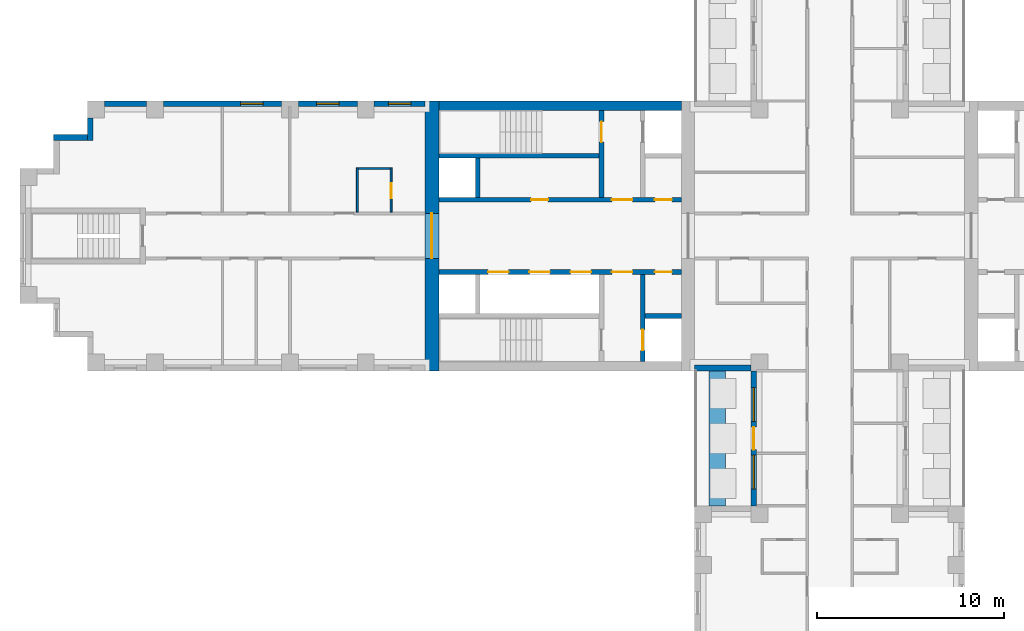
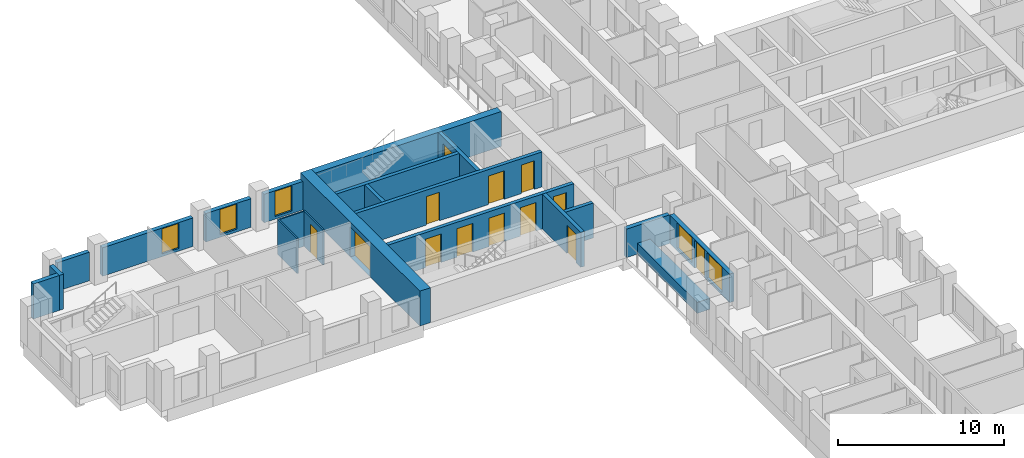
# One storey, part 6 of 15: 21 walls, 13 doors, 5 windows, 18 openings.
"""IFC4 building model written with IfcOpenShell, lengths in metres."""

from ifc_helpers import new_model, si_unit, direction, frame, frame_2d, origin, place, context, subcontext, project, spatial, rectangle, extrude, material, layer, layer_set, type_object, element, fill, save


model = new_model("IFC4")

# Units and contexts
model_context = context("Model", 3, precision=1e-05, world=origin(), true_north=direction((0.0, 1.0)))
body_context = subcontext(model_context, "Body", "Model", "MODEL_VIEW")
ifc_project = project(units=[si_unit("LENGTHUNIT", "METRE"), si_unit("AREAUNIT", "SQUARE_METRE"), si_unit("VOLUMEUNIT", "CUBIC_METRE"), si_unit("PLANEANGLEUNIT", "RADIAN"), si_unit("MASSUNIT", "GRAM", prefix="KILO")], contexts=[model_context])

# Site, building, storey
site_placement = place(None, origin())
site = spatial("IfcSite", under=ifc_project, at=site_placement, CompositionType="ELEMENT")
building_placement = place(site_placement, origin())
building = spatial("IfcBuilding", under=site, at=building_placement, Name="Fustian Cross Tower", CompositionType="ELEMENT")
storey_placement = place(building_placement, frame((0.0, 0.0, 41.699951171875)))
storey = spatial("IfcBuildingStorey", under=building, at=storey_placement, Name="L12", CompositionType="ELEMENT", Elevation=41.699951171875)

# Wall, opening, door
ifc_material_1 = material(Name="Concrete C80/95", Category="concrete")
ifc_layer_1 = layer(ifc_material_1, 0.75)
ifc_layer_set_1 = layer_set([ifc_layer_1], Name="Concrete C80/95")
wall_type_1 = type_object("IfcWallType", Name="CORE END WALL 750 C80/95", PredefinedType="SHEAR", material=ifc_layer_set_1)
wall_1_placement = place(storey_placement, frame((-21.22509765625, -7.199951171875, 0.0), z_axis=(0.0, 0.0, 1.0), x_axis=(0.0, 1.0, 0.0)))
wall_1 = element("IfcWall", 1, at=wall_1_placement, inside=storey, type_object=wall_type_1, Name="Core end wall", PredefinedType="SHEAR", context=body_context, shape_type="SweptSolid", body=[
    extrude(rectangle(XDim=14.39990234375, YDim=0.75, at=frame_2d((7.199951171875, 0.0))), origin(), (0.0, 0.0, 1.0), 2.574951171875),
])
opening_1_placement = place(wall_1_placement, frame((6.0, 0.0, 0.0)))
opening_1 = element("IfcOpeningElement", 2, at=opening_1_placement, cuts=wall_1, Name="Opening CD-04-27", PredefinedType="OPENING", context=body_context, shape_type="SweptSolid", body=[
    extrude(rectangle(XDim=2.39990234375, YDim=2.199951171875, at=frame_2d((1.199951171875, 1.10009765625))), frame((0.0, 0.385009765625, 0.0), z_axis=(0.0, -1.0, 0.0), x_axis=(1.0, 0.0, 0.0)), (0.0, 0.0, 1.0), 0.77001953125),
])
ifc_material_2 = material(Name="Steel", Category="steel")
door_type_1 = type_object("IfcDoorType", Name="FIRE DOOR FD30S DOUBLE 2400X2200", OperationType="DOUBLE_DOOR_DOUBLE_SWING", PredefinedType="DOOR", material=ifc_material_2)
door_1_placement = place(opening_1_placement, frame((2.39990234375, 0.0, 0.0), z_axis=(0.0, 0.0, 1.0), x_axis=(-1.0, 0.0, 0.0)))
door_1 = element("IfcDoor", 3, at=door_1_placement, inside=storey, type_object=door_type_1, Name="Core door CD-04-27", OperationType="DOUBLE_DOOR_DOUBLE_SWING", OverallHeight=2.199951171875, OverallWidth=2.39990234375, PredefinedType="DOOR", context=body_context, shape_type="SweptSolid", body=[
    extrude(rectangle(XDim=2.39990234375, YDim=2.199951171875, at=frame_2d((1.199951171875, 1.10009765625))), frame((0.0, 0.02490234375, 0.0), z_axis=(0.0, -1.0, 0.0), x_axis=(1.0, 0.0, 0.0)), (0.0, 0.0, 1.0), 0.050048828125),
])
fill(opening_1, door_1)

# Wall
ifc_material_3 = material(Name="Concrete C80/95", Category="concrete")
ifc_layer_2 = layer(ifc_material_3, 0.5)
ifc_layer_set_2 = layer_set([ifc_layer_2], Name="Concrete C80/95")
wall_type_2 = type_object("IfcWallType", Name="CORE FACADE WALL 500 C80/95", PredefinedType="SHEAR", material=ifc_layer_set_2)
wall_2_placement = place(storey_placement, frame((-7.89990234375, 6.949951171875, 0.0), z_axis=(0.0, 0.0, 1.0), x_axis=(-1.0, 0.0, 0.0)))
element("IfcWall", 4, at=wall_2_placement, inside=storey, type_object=wall_type_2, Name="Core facade wall", PredefinedType="SHEAR", context=body_context, shape_type="SweptSolid", body=[
    extrude(rectangle(XDim=12.9501953125, YDim=0.5, at=frame_2d((6.47509765625, 0.0))), origin(), (0.0, 0.0, 1.0), 2.574951171875),
])

# Wall, openings, doors
ifc_material_4 = material(Name="Concrete C50/60", Category="concrete")
ifc_layer_3 = layer(ifc_material_4, 0.25)
ifc_layer_set_3 = layer_set([ifc_layer_3], Name="Concrete C50/60")
wall_type_3 = type_object("IfcWallType", Name="CORE LOBBY WALL 250 C50/60", PredefinedType="SHEAR", material=ifc_layer_set_3)
wall_3_placement = place(storey_placement, frame((-7.89990234375, 1.925048828125, 0.0), z_axis=(0.0, 0.0, 1.0), x_axis=(-1.0, 0.0, 0.0)))
wall_3 = element("IfcWall", 5, at=wall_3_placement, inside=storey, type_object=wall_type_3, Name="Core lobby wall", PredefinedType="SHEAR", context=body_context, shape_type="SweptSolid", body=[
    extrude(rectangle(XDim=12.9501953125, YDim=0.25, at=frame_2d((6.47509765625, 0.0))), origin(), (0.0, 0.0, 1.0), 2.574951171875),
])
opening_2_placement = place(wall_3_placement, frame((0.52490234375, 0.0, 0.0)))
opening_2 = element("IfcOpeningElement", 6, at=opening_2_placement, cuts=wall_3, Name="Opening CD-04-22", PredefinedType="OPENING", context=body_context, shape_type="SweptSolid", body=[
    extrude(rectangle(XDim=0.89990234375, YDim=2.10009765625, at=frame_2d((0.449951171875, 1.050048828125))), frame((0.0, 0.135009765625, 0.0), z_axis=(0.0, -1.0, 0.0), x_axis=(1.0, 0.0, 0.0)), (0.0, 0.0, 1.0), 0.27001953125),
])
opening_3_placement = place(wall_3_placement, frame((2.625, 0.0, 0.0)))
opening_3 = element("IfcOpeningElement", 7, at=opening_3_placement, cuts=wall_3, Name="Opening CD-04-24", PredefinedType="OPENING", context=body_context, shape_type="SweptSolid", body=[
    extrude(rectangle(XDim=1.10009765625, YDim=2.10009765625, at=frame_2d((0.550048828125, 1.050048828125))), frame((0.0, 0.135009765625, 0.0), z_axis=(0.0, -1.0, 0.0), x_axis=(1.0, 0.0, 0.0)), (0.0, 0.0, 1.0), 0.27001953125),
])
opening_4_placement = place(wall_3_placement, frame((7.125, 0.0, 0.0)))
opening_4 = element("IfcOpeningElement", 8, at=opening_4_placement, cuts=wall_3, Name="Opening CD-04-28", PredefinedType="OPENING", context=body_context, shape_type="SweptSolid", body=[
    extrude(rectangle(XDim=0.89990234375, YDim=2.10009765625, at=frame_2d((0.449951171875, 1.050048828125))), frame((0.0, 0.135009765625, 0.0), z_axis=(0.0, -1.0, 0.0), x_axis=(1.0, 0.0, 0.0)), (0.0, 0.0, 1.0), 0.27001953125),
])
ifc_material_5 = material(Name="Steel", Category="steel")
door_type_2 = type_object("IfcDoorType", Name="FIRE DOOR FD30S 900X2100", OperationType="SINGLE_SWING_LEFT", PredefinedType="DOOR", material=ifc_material_5)
door_2_placement = place(opening_4_placement, frame((0.89990234375, 0.0, 0.0), z_axis=(0.0, 0.0, 1.0), x_axis=(-1.0, 0.0, 0.0)))
door_2 = element("IfcDoor", 9, at=door_2_placement, inside=storey, type_object=door_type_2, Name="Core door CD-04-28", OperationType="SINGLE_SWING_RIGHT", OverallHeight=2.10009765625, OverallWidth=0.89990234375, PredefinedType="DOOR", context=body_context, shape_type="SweptSolid", body=[
    extrude(rectangle(XDim=0.89990234375, YDim=2.10009765625, at=frame_2d((0.449951171875, 1.050048828125))), frame((0.0, 0.02490234375, 0.0), z_axis=(0.0, -1.0, 0.0), x_axis=(1.0, 0.0, 0.0)), (0.0, 0.0, 1.0), 0.050048828125),
])
fill(opening_4, door_2)
ifc_material_6 = material(Name="Steel", Category="steel")
door_type_3 = type_object("IfcDoorType", Name="FIRE DOOR FD60S 1100X2100", OperationType="SINGLE_SWING_LEFT", PredefinedType="DOOR", material=ifc_material_6)
door_3_placement = place(opening_3_placement, frame((1.10009765625, 0.0, 0.0), z_axis=(0.0, 0.0, 1.0), x_axis=(-1.0, 0.0, 0.0)))
door_3 = element("IfcDoor", 10, at=door_3_placement, inside=storey, type_object=door_type_3, Name="Core door CD-04-24", OperationType="SINGLE_SWING_RIGHT", OverallHeight=2.10009765625, OverallWidth=1.10009765625, PredefinedType="DOOR", context=body_context, shape_type="SweptSolid", body=[
    extrude(rectangle(XDim=1.10009765625, YDim=2.10009765625, at=frame_2d((0.550048828125, 1.050048828125))), frame((0.0, 0.02490234375, 0.0), z_axis=(0.0, -1.0, 0.0), x_axis=(1.0, 0.0, 0.0)), (0.0, 0.0, 1.0), 0.050048828125),
])
fill(opening_3, door_3)
ifc_material_7 = material(Name="Steel", Category="steel")
door_type_4 = type_object("IfcDoorType", Name="FIRE DOOR FD60S 900X2100", OperationType="SINGLE_SWING_LEFT", PredefinedType="DOOR", material=ifc_material_7)
door_4_placement = place(opening_2_placement, frame((0.89990234375, 0.0, 0.0), z_axis=(0.0, 0.0, 1.0), x_axis=(-1.0, 0.0, 0.0)))
door_4 = element("IfcDoor", 11, at=door_4_placement, inside=storey, type_object=door_type_4, Name="Core door CD-04-22", OperationType="SINGLE_SWING_RIGHT", OverallHeight=2.10009765625, OverallWidth=0.89990234375, PredefinedType="DOOR", context=body_context, shape_type="SweptSolid", body=[
    extrude(rectangle(XDim=0.89990234375, YDim=2.10009765625, at=frame_2d((0.449951171875, 1.050048828125))), frame((0.0, 0.02490234375, 0.0), z_axis=(0.0, -1.0, 0.0), x_axis=(1.0, 0.0, 0.0)), (0.0, 0.0, 1.0), 0.050048828125),
])
fill(opening_2, door_4)

wall_4_placement = place(storey_placement, frame((-7.89990234375, -1.925048828125, 0.0), z_axis=(0.0, 0.0, 1.0), x_axis=(-1.0, 0.0, 0.0)))
wall_4 = element("IfcWall", 12, at=wall_4_placement, inside=storey, type_object=wall_type_3, Name="Core lobby wall", PredefinedType="SHEAR", context=body_context, shape_type="SweptSolid", body=[
    extrude(rectangle(XDim=12.9501953125, YDim=0.25, at=frame_2d((6.47509765625, 0.0))), origin(), (0.0, 0.0, 1.0), 2.574951171875),
])
opening_5_placement = place(wall_4_placement, frame((4.824951171875, 0.0, 0.0)))
opening_5 = element("IfcOpeningElement", 13, at=opening_5_placement, cuts=wall_4, Name="Opening LD", PredefinedType="OPENING", context=body_context, shape_type="SweptSolid", body=[
    extrude(rectangle(XDim=1.10009765625, YDim=2.10009765625, at=frame_2d((0.550048828125, 1.050048828125))), frame((0.0, 0.135009765625, 0.0), z_axis=(0.0, -1.0, 0.0), x_axis=(1.0, 0.0, 0.0)), (0.0, 0.0, 1.0), 0.27001953125),
])
opening_6_placement = place(wall_4_placement, frame((7.02490234375, 0.0, 0.0)))
opening_6 = element("IfcOpeningElement", 14, at=opening_6_placement, cuts=wall_4, Name="Opening LD", PredefinedType="OPENING", context=body_context, shape_type="SweptSolid", body=[
    extrude(rectangle(XDim=1.10009765625, YDim=2.10009765625, at=frame_2d((0.550048828125, 1.050048828125))), frame((0.0, 0.135009765625, 0.0), z_axis=(0.0, -1.0, 0.0), x_axis=(1.0, 0.0, 0.0)), (0.0, 0.0, 1.0), 0.27001953125),
])
opening_7_placement = place(wall_4_placement, frame((9.22509765625, 0.0, 0.0)))
opening_7 = element("IfcOpeningElement", 15, at=opening_7_placement, cuts=wall_4, Name="Opening LD", PredefinedType="OPENING", context=body_context, shape_type="SweptSolid", body=[
    extrude(rectangle(XDim=1.10009765625, YDim=2.10009765625, at=frame_2d((0.550048828125, 1.050048828125))), frame((0.0, 0.135009765625, 0.0), z_axis=(0.0, -1.0, 0.0), x_axis=(1.0, 0.0, 0.0)), (0.0, 0.0, 1.0), 0.27001953125),
])
opening_8_placement = place(wall_4_placement, frame((0.52490234375, 0.0, 0.0)))
opening_8 = element("IfcOpeningElement", 16, at=opening_8_placement, cuts=wall_4, Name="Opening CD-04-23", PredefinedType="OPENING", context=body_context, shape_type="SweptSolid", body=[
    extrude(rectangle(XDim=0.89990234375, YDim=2.10009765625, at=frame_2d((0.449951171875, 1.050048828125))), frame((0.0, 0.135009765625, 0.0), z_axis=(0.0, -1.0, 0.0), x_axis=(1.0, 0.0, 0.0)), (0.0, 0.0, 1.0), 0.27001953125),
])
opening_9_placement = place(wall_4_placement, frame((2.625, 0.0, 0.0)))
opening_9 = element("IfcOpeningElement", 17, at=opening_9_placement, cuts=wall_4, Name="Opening CD-04-25", PredefinedType="OPENING", context=body_context, shape_type="SweptSolid", body=[
    extrude(rectangle(XDim=1.10009765625, YDim=2.10009765625, at=frame_2d((0.550048828125, 1.050048828125))), frame((0.0, 0.135009765625, 0.0), z_axis=(0.0, -1.0, 0.0), x_axis=(1.0, 0.0, 0.0)), (0.0, 0.0, 1.0), 0.27001953125),
])
ifc_material_8 = material(Name="Steel", Category="steel")
door_type_5 = type_object("IfcDoorType", Name="FIRE DOOR FD30S 1100X2100", OperationType="SINGLE_SWING_LEFT", PredefinedType="DOOR", material=ifc_material_8)
door_5_placement = place(opening_9_placement, frame((1.10009765625, 0.0, 0.0), z_axis=(0.0, 0.0, 1.0), x_axis=(-1.0, 0.0, 0.0)))
door_5 = element("IfcDoor", 18, at=door_5_placement, inside=storey, type_object=door_type_5, Name="Core door CD-04-25", OperationType="SINGLE_SWING_RIGHT", OverallHeight=2.10009765625, OverallWidth=1.10009765625, PredefinedType="DOOR", context=body_context, shape_type="SweptSolid", body=[
    extrude(rectangle(XDim=1.10009765625, YDim=2.10009765625, at=frame_2d((0.550048828125, 1.050048828125))), frame((0.0, 0.02490234375, 0.0), z_axis=(0.0, -1.0, 0.0), x_axis=(1.0, 0.0, 0.0)), (0.0, 0.0, 1.0), 0.050048828125),
])
fill(opening_9, door_5)
door_6_placement = place(opening_8_placement, origin())
door_6 = element("IfcDoor", 19, at=door_6_placement, inside=storey, type_object=door_type_2, Name="Core door CD-04-23", OperationType="SINGLE_SWING_LEFT", OverallHeight=2.10009765625, OverallWidth=0.89990234375, PredefinedType="DOOR", context=body_context, shape_type="SweptSolid", body=[
    extrude(rectangle(XDim=0.89990234375, YDim=2.10009765625, at=frame_2d((0.449951171875, 1.050048828125))), frame((0.0, 0.02490234375, 0.0), z_axis=(0.0, -1.0, 0.0), x_axis=(1.0, 0.0, 0.0)), (0.0, 0.0, 1.0), 0.050048828125),
])
fill(opening_8, door_6)
ifc_material_9 = material(Name="Stainless steel", Category="steel")
door_type_6 = type_object("IfcDoorType", Name="LIFT LANDING DOOR 1100X2100", OperationType="SLIDING_TO_LEFT", PredefinedType="DOOR", material=ifc_material_9)
door_7_placement = place(opening_5_placement, origin())
door_7 = element("IfcDoor", 20, at=door_7_placement, inside=storey, type_object=door_type_6, Name="Landing door LR1W", OperationType="SLIDING_TO_LEFT", OverallHeight=2.10009765625, OverallWidth=1.10009765625, PredefinedType="DOOR", context=body_context, shape_type="SweptSolid", body=[
    extrude(rectangle(XDim=1.10009765625, YDim=2.10009765625, at=frame_2d((0.550048828125, 1.050048828125))), frame((0.0, 0.02490234375, 0.0), z_axis=(0.0, -1.0, 0.0), x_axis=(1.0, 0.0, 0.0)), (0.0, 0.0, 1.0), 0.050048828125),
])
fill(opening_5, door_7)
door_8_placement = place(opening_6_placement, origin())
door_8 = element("IfcDoor", 21, at=door_8_placement, inside=storey, type_object=door_type_6, Name="Landing door LR2W", OperationType="SLIDING_TO_LEFT", OverallHeight=2.10009765625, OverallWidth=1.10009765625, PredefinedType="DOOR", context=body_context, shape_type="SweptSolid", body=[
    extrude(rectangle(XDim=1.10009765625, YDim=2.10009765625, at=frame_2d((0.550048828125, 1.050048828125))), frame((0.0, 0.02490234375, 0.0), z_axis=(0.0, -1.0, 0.0), x_axis=(1.0, 0.0, 0.0)), (0.0, 0.0, 1.0), 0.050048828125),
])
fill(opening_6, door_8)
door_9_placement = place(opening_7_placement, origin())
door_9 = element("IfcDoor", 22, at=door_9_placement, inside=storey, type_object=door_type_6, Name="Landing door LR3W", OperationType="SLIDING_TO_LEFT", OverallHeight=2.10009765625, OverallWidth=1.10009765625, PredefinedType="DOOR", context=body_context, shape_type="SweptSolid", body=[
    extrude(rectangle(XDim=1.10009765625, YDim=2.10009765625, at=frame_2d((0.550048828125, 1.050048828125))), frame((0.0, 0.02490234375, 0.0), z_axis=(0.0, -1.0, 0.0), x_axis=(1.0, 0.0, 0.0)), (0.0, 0.0, 1.0), 0.050048828125),
])
fill(opening_7, door_9)

# Wall
ifc_material_10 = material(Name="Concrete C50/60", Category="concrete")
ifc_layer_4 = layer(ifc_material_10, 0.25)
ifc_layer_set_4 = layer_set([ifc_layer_4], Name="Concrete C50/60")
wall_type_4 = type_object("IfcWallType", Name="CORE SHAFT WALL 250 C50/60", PredefinedType="SHEAR", material=ifc_layer_set_4)
wall_5_placement = place(storey_placement, frame((-12.300048828125, 4.27490234375, 0.0), z_axis=(0.0, 0.0, 1.0), x_axis=(-1.0, 0.0, 0.0)))
element("IfcWall", 23, at=wall_5_placement, inside=storey, type_object=wall_type_4, Name="Core shaft wall", PredefinedType="SHEAR", context=body_context, shape_type="SweptSolid", body=[
    extrude(rectangle(XDim=8.550048828125, YDim=0.25, at=frame_2d((4.27490234375, 0.0))), origin(), (0.0, 0.0, 1.0), 2.574951171875),
])

# Wall, opening, door
wall_6_placement = place(storey_placement, frame((-12.175048828125, 2.050048828125, 0.0), z_axis=(0.0, 0.0, 1.0), x_axis=(0.0, 1.0, 0.0)))
wall_6 = element("IfcWall", 24, at=wall_6_placement, inside=storey, type_object=wall_type_4, Name="Core shaft wall", PredefinedType="SHEAR", context=body_context, shape_type="SweptSolid", body=[
    extrude(rectangle(XDim=4.64990234375, YDim=0.25, at=frame_2d((2.324951171875, 0.0))), origin(), (0.0, 0.0, 1.0), 2.574951171875),
])
opening_10_placement = place(wall_6_placement, frame((2.949951171875, 0.0, 0.0)))
opening_10 = element("IfcOpeningElement", 25, at=opening_10_placement, cuts=wall_6, Name="Opening CD-04-20", PredefinedType="OPENING", context=body_context, shape_type="SweptSolid", body=[
    extrude(rectangle(XDim=1.10009765625, YDim=2.10009765625, at=frame_2d((0.550048828125, 1.050048828125))), frame((0.0, 0.135009765625, 0.0), z_axis=(0.0, -1.0, 0.0), x_axis=(1.0, 0.0, 0.0)), (0.0, 0.0, 1.0), 0.27001953125),
])
door_10_placement = place(opening_10_placement, origin())
door_10 = element("IfcDoor", 26, at=door_10_placement, inside=storey, type_object=door_type_3, Name="Core door CD-04-20", OperationType="SINGLE_SWING_LEFT", OverallHeight=2.10009765625, OverallWidth=1.10009765625, PredefinedType="DOOR", context=body_context, shape_type="SweptSolid", body=[
    extrude(rectangle(XDim=1.10009765625, YDim=2.10009765625, at=frame_2d((0.550048828125, 1.050048828125))), frame((0.0, 0.02490234375, 0.0), z_axis=(0.0, -1.0, 0.0), x_axis=(1.0, 0.0, 0.0)), (0.0, 0.0, 1.0), 0.050048828125),
])
fill(opening_10, door_10)

# Wall
wall_7_placement = place(storey_placement, frame((-7.89990234375, -4.27490234375, 0.0), z_axis=(0.0, 0.0, 1.0), x_axis=(-1.0, 0.0, 0.0)))
element("IfcWall", 27, at=wall_7_placement, inside=storey, type_object=wall_type_4, Name="Core shaft wall", PredefinedType="SHEAR", context=body_context, shape_type="SweptSolid", body=[
    extrude(rectangle(XDim=1.9501953125, YDim=0.25, at=frame_2d((0.97509765625, 0.0))), origin(), (0.0, 0.0, 1.0), 2.574951171875),
])

# Wall, opening, door
wall_8_placement = place(storey_placement, frame((-9.97509765625, -2.050048828125, 0.0), z_axis=(0.0, 0.0, 1.0), x_axis=(0.0, -1.0, 0.0)))
wall_8 = element("IfcWall", 28, at=wall_8_placement, inside=storey, type_object=wall_type_4, Name="Core shaft wall", PredefinedType="SHEAR", context=body_context, shape_type="SweptSolid", body=[
    extrude(rectangle(XDim=4.64990234375, YDim=0.25, at=frame_2d((2.324951171875, 0.0))), origin(), (0.0, 0.0, 1.0), 2.574951171875),
])
opening_11_placement = place(wall_8_placement, frame((2.949951171875, 0.0, 0.0)))
opening_11 = element("IfcOpeningElement", 29, at=opening_11_placement, cuts=wall_8, Name="Opening LD", PredefinedType="OPENING", context=body_context, shape_type="SweptSolid", body=[
    extrude(rectangle(XDim=1.10009765625, YDim=2.10009765625, at=frame_2d((0.550048828125, 1.050048828125))), frame((0.0, 0.135009765625, 0.0), z_axis=(0.0, -1.0, 0.0), x_axis=(1.0, 0.0, 0.0)), (0.0, 0.0, 1.0), 0.27001953125),
])
door_11_placement = place(opening_11_placement, origin())
door_11 = element("IfcDoor", 30, at=door_11_placement, inside=storey, type_object=door_type_6, Name="Landing door SV1W", OperationType="SLIDING_TO_LEFT", OverallHeight=2.10009765625, OverallWidth=1.10009765625, PredefinedType="DOOR", context=body_context, shape_type="SweptSolid", body=[
    extrude(rectangle(XDim=1.10009765625, YDim=2.10009765625, at=frame_2d((0.550048828125, 1.050048828125))), frame((0.0, 0.02490234375, 0.0), z_axis=(0.0, -1.0, 0.0), x_axis=(1.0, 0.0, 0.0)), (0.0, 0.0, 1.0), 0.050048828125),
])
fill(opening_11, door_11)

# Walls
ifc_material_11 = material(Name="Plasterboard on steel stud", Category="steel")
ifc_layer_5 = layer(ifc_material_11, 0.10009765625)
ifc_layer_set_5 = layer_set([ifc_layer_5], Name="Plasterboard on steel stud")
wall_type_5 = type_object("IfcWallType", Name="PARTITION 100 STUD", PredefinedType="PARTITIONING", material=ifc_layer_set_5)
wall_9_placement = place(storey_placement, frame((-25.199951171875, 1.27490234375, 0.0), z_axis=(0.0, 0.0, 1.0), x_axis=(0.0, 1.0, 0.0)))
element("IfcWall", 31, at=wall_9_placement, inside=storey, type_object=wall_type_5, Name="Partition 8", PredefinedType="PARTITIONING", context=body_context, shape_type="SweptSolid", body=[
    extrude(rectangle(XDim=2.375, YDim=0.10009765625, at=frame_2d((1.1875, 0.0))), origin(), (0.0, 0.0, 1.0), 2.574951171875),
])
wall_10_placement = place(storey_placement, frame((-25.14990234375, 3.60009765625, 0.0), z_axis=(0.0, 0.0, 1.0), x_axis=(1.0, 0.0, 0.0)))
element("IfcWall", 32, at=wall_10_placement, inside=storey, type_object=wall_type_5, Name="Partition 9", PredefinedType="PARTITIONING", context=body_context, shape_type="SweptSolid", body=[
    extrude(rectangle(XDim=1.699951171875, YDim=0.10009765625, at=frame_2d((0.85009765625, 0.0))), origin(), (0.0, 0.0, 1.0), 2.574951171875),
])

# Wall, opening, door
wall_11_placement = place(storey_placement, frame((-23.39990234375, 1.27490234375, 0.0), z_axis=(0.0, 0.0, 1.0), x_axis=(0.0, 1.0, 0.0)))
wall_11 = element("IfcWall", 33, at=wall_11_placement, inside=storey, type_object=wall_type_5, Name="Partition 10", PredefinedType="PARTITIONING", context=body_context, shape_type="SweptSolid", body=[
    extrude(rectangle(XDim=2.375, YDim=0.10009765625, at=frame_2d((1.1875, 0.0))), origin(), (0.0, 0.0, 1.0), 2.574951171875),
])
opening_12_placement = place(wall_11_placement, frame((0.72509765625, 0.0, 0.0)))
opening_12 = element("IfcOpeningElement", 34, at=opening_12_placement, cuts=wall_11, Name="Opening D07045", PredefinedType="OPENING", context=body_context, shape_type="SweptSolid", body=[
    extrude(rectangle(XDim=0.800048828125, YDim=2.10009765625, at=frame_2d((0.39990234375, 1.050048828125))), frame((0.0, 0.06005859375, 0.0), z_axis=(0.0, -1.0, 0.0), x_axis=(1.0, 0.0, 0.0)), (0.0, 0.0, 1.0), 0.1201171875),
])
ifc_material_12 = material(Name="Painted timber", Category="wood")
door_type_7 = type_object("IfcDoorType", Name="SWING DOOR 800", OperationType="SINGLE_SWING_LEFT", PredefinedType="DOOR", material=ifc_material_12)
door_12_placement = place(opening_12_placement, origin())
door_12 = element("IfcDoor", 35, at=door_12_placement, inside=storey, type_object=door_type_7, Name="Door D07045", OperationType="SINGLE_SWING_LEFT", OverallHeight=2.10009765625, OverallWidth=0.800048828125, PredefinedType="DOOR", context=body_context, shape_type="SweptSolid", body=[
    extrude(rectangle(XDim=0.800048828125, YDim=2.10009765625, at=frame_2d((0.39990234375, 1.050048828125))), frame((0.0, 0.02490234375, 0.0), z_axis=(0.0, -1.0, 0.0), x_axis=(1.0, 0.0, 0.0)), (0.0, 0.0, 1.0), 0.050048828125),
])
fill(opening_12, door_12)

# Walls
ifc_material_13 = material(Name="Concrete C40/50", Category="concrete")
ifc_layer_6 = layer(ifc_material_13, 0.89990234375)
ifc_layer_set_6 = layer_set([ifc_layer_6], Name="Concrete C40/50")
wall_type_6 = type_object("IfcWallType", Name="PK1 PLANTER 900", PredefinedType="PARAPET", material=ifc_layer_set_6)
wall_12_placement = place(storey_placement, frame((-6.0, -14.39990234375, 0.0), z_axis=(0.0, 0.0, 1.0), x_axis=(0.0, 1.0, 0.0)))
element("IfcWall", 36, at=wall_12_placement, inside=storey, type_object=wall_type_6, Name="PLANTER", PredefinedType="PARAPET", context=body_context, shape_type="SweptSolid", body=[
    extrude(rectangle(XDim=7.199951171875, YDim=0.89990234375, at=frame_2d((3.60009765625, 0.0))), origin(), (0.0, 0.0, 1.0), 0.800048828125),
])
ifc_material_14 = material(Name="Concrete C40/50", Category="concrete")
ifc_layer_7 = layer(ifc_material_14, 0.25)
ifc_layer_set_7 = layer_set([ifc_layer_7], Name="Concrete C40/50")
wall_type_7 = type_object("IfcWallType", Name="SHAFT PARTITION WALL 250 C40/50", PredefinedType="PARTITIONING", material=ifc_layer_set_7)
wall_13_placement = place(storey_placement, frame((-18.77490234375, 2.050048828125, 0.0), z_axis=(0.0, 0.0, 1.0), x_axis=(0.0, 1.0, 0.0)))
element("IfcWall", 37, at=wall_13_placement, inside=storey, type_object=wall_type_7, Name="Core shaft wall", PredefinedType="PARTITIONING", context=body_context, shape_type="SweptSolid", body=[
    extrude(rectangle(XDim=2.099853515625, YDim=0.25, at=frame_2d((1.0498046875, 0.0))), origin(), (0.0, 0.0, 1.0), 2.574951171875),
])

# Wall, opening, window
ifc_material_15 = material(Name="Dark aluminium cladding on insulated backing wall", Category="aluminium")
ifc_layer_8 = layer(ifc_material_15, 0.300048828125)
ifc_layer_set_8 = layer_set([ifc_layer_8], Name="Dark aluminium cladding on insulated backing wall")
wall_type_8 = type_object("IfcWallType", Name="XW1 EXTERNAL WALL 300", PredefinedType="SOLIDWALL", material=ifc_layer_set_8)
wall_14_placement = place(storey_placement, frame((-21.60009765625, 7.050048828125, 0.0), z_axis=(0.0, 0.0, 1.0), x_axis=(-1.0, 0.0, 0.0)))
wall_14 = element("IfcWall", 38, at=wall_14_placement, inside=storey, type_object=wall_type_8, Name="External wall", PredefinedType="SOLIDWALL", context=body_context, shape_type="SweptSolid", body=[
    extrude(rectangle(XDim=2.699951171875, YDim=0.300048828125, at=frame_2d((1.35009765625, 0.0))), origin(), (0.0, 0.0, 1.0), 2.10009765625),
])
opening_13_placement = place(wall_14_placement, frame((0.75, 0.0, 0.199951171875)))
opening_13 = element("IfcOpeningElement", 39, at=opening_13_placement, cuts=wall_14, Name="Opening WN3", PredefinedType="OPENING", context=body_context, shape_type="SweptSolid", body=[
    extrude(rectangle(XDim=1.199951171875, YDim=1.85009765625, at=frame_2d((0.60009765625, 0.925048828125))), frame((0.0, 0.159912109375, 0.0), z_axis=(0.0, -1.0, 0.0), x_axis=(1.0, 0.0, 0.0)), (0.0, 0.0, 1.0), 0.320068359375),
])
ifc_material_16 = material(Name="Dark anodised aluminium and double glazing", Category="aluminium")
window_type_1 = type_object("IfcWindowType", Name="WN3 WINDOW 1200X1850", PartitioningType="SINGLE_PANEL", PredefinedType="WINDOW", material=ifc_material_16)
window_1_placement = place(opening_13_placement, origin())
window_1 = element("IfcWindow", 40, at=window_1_placement, inside=storey, type_object=window_type_1, Name="Window", OverallHeight=1.85009765625, OverallWidth=1.199951171875, PartitioningType="SINGLE_PANEL", PredefinedType="WINDOW", context=body_context, shape_type="SweptSolid", body=[
    extrude(rectangle(XDim=1.199951171875, YDim=1.85009765625, at=frame_2d((0.60009765625, 0.925048828125))), frame((0.0, 0.030029296875, 0.0), z_axis=(0.0, -1.0, 0.0), x_axis=(1.0, 0.0, 0.0)), (0.0, 0.0, 1.0), 0.06005859375),
])
fill(opening_13, window_1)

wall_15_placement = place(storey_placement, frame((-25.199951171875, 7.050048828125, 0.0), z_axis=(0.0, 0.0, 1.0), x_axis=(-1.0, 0.0, 0.0)))
wall_15 = element("IfcWall", 41, at=wall_15_placement, inside=storey, type_object=wall_type_8, Name="External wall", PredefinedType="SOLIDWALL", context=body_context, shape_type="SweptSolid", body=[
    extrude(rectangle(XDim=3.150146484375, YDim=0.300048828125, at=frame_2d((1.5751953125, 0.0))), origin(), (0.0, 0.0, 1.0), 2.10009765625),
])
opening_14_placement = place(wall_15_placement, frame((0.97509765625, 0.0, 0.199951171875)))
opening_14 = element("IfcOpeningElement", 42, at=opening_14_placement, cuts=wall_15, Name="Opening WN3", PredefinedType="OPENING", context=body_context, shape_type="SweptSolid", body=[
    extrude(rectangle(XDim=1.199951171875, YDim=1.85009765625, at=frame_2d((0.60009765625, 0.925048828125))), frame((0.0, 0.159912109375, 0.0), z_axis=(0.0, -1.0, 0.0), x_axis=(1.0, 0.0, 0.0)), (0.0, 0.0, 1.0), 0.320068359375),
])
window_2_placement = place(opening_14_placement, origin())
window_2 = element("IfcWindow", 43, at=window_2_placement, inside=storey, type_object=window_type_1, Name="Window", OverallHeight=1.85009765625, OverallWidth=1.199951171875, PartitioningType="SINGLE_PANEL", PredefinedType="WINDOW", context=body_context, shape_type="SweptSolid", body=[
    extrude(rectangle(XDim=1.199951171875, YDim=1.85009765625, at=frame_2d((0.60009765625, 0.925048828125))), frame((0.0, 0.030029296875, 0.0), z_axis=(0.0, -1.0, 0.0), x_axis=(1.0, 0.0, 0.0)), (0.0, 0.0, 1.0), 0.06005859375),
])
fill(opening_14, window_2)

wall_16_placement = place(storey_placement, frame((-29.25, 7.050048828125, 0.0), z_axis=(0.0, 0.0, 1.0), x_axis=(-1.0, 0.0, 0.0)))
wall_16 = element("IfcWall", 44, at=wall_16_placement, inside=storey, type_object=wall_type_8, Name="External wall", PredefinedType="SOLIDWALL", context=body_context, shape_type="SweptSolid", body=[
    extrude(rectangle(XDim=6.300048828125, YDim=0.300048828125, at=frame_2d((3.14990234375, 0.0))), origin(), (0.0, 0.0, 1.0), 2.10009765625),
])
opening_15_placement = place(wall_16_placement, frame((0.97509765625, 0.0, 0.199951171875)))
opening_15 = element("IfcOpeningElement", 45, at=opening_15_placement, cuts=wall_16, Name="Opening WN3", PredefinedType="OPENING", context=body_context, shape_type="SweptSolid", body=[
    extrude(rectangle(XDim=1.199951171875, YDim=1.85009765625, at=frame_2d((0.60009765625, 0.925048828125))), frame((0.0, 0.159912109375, 0.0), z_axis=(0.0, -1.0, 0.0), x_axis=(1.0, 0.0, 0.0)), (0.0, 0.0, 1.0), 0.320068359375),
])
window_3_placement = place(opening_15_placement, origin())
window_3 = element("IfcWindow", 46, at=window_3_placement, inside=storey, type_object=window_type_1, Name="Window", OverallHeight=1.85009765625, OverallWidth=1.199951171875, PartitioningType="SINGLE_PANEL", PredefinedType="WINDOW", context=body_context, shape_type="SweptSolid", body=[
    extrude(rectangle(XDim=1.199951171875, YDim=1.85009765625, at=frame_2d((0.60009765625, 0.925048828125))), frame((0.0, 0.030029296875, 0.0), z_axis=(0.0, -1.0, 0.0), x_axis=(1.0, 0.0, 0.0)), (0.0, 0.0, 1.0), 0.06005859375),
])
fill(opening_15, window_3)

# Walls
wall_17_placement = place(storey_placement, frame((-36.449951171875, 7.050048828125, 0.0), z_axis=(0.0, 0.0, 1.0), x_axis=(-1.0, 0.0, 0.0)))
element("IfcWall", 47, at=wall_17_placement, inside=storey, type_object=wall_type_8, Name="External wall", PredefinedType="SOLIDWALL", context=body_context, shape_type="SweptSolid", body=[
    extrude(rectangle(XDim=2.25, YDim=0.300048828125, at=frame_2d((1.125, 0.0))), origin(), (0.0, 0.0, 1.0), 2.10009765625),
])
wall_18_placement = place(storey_placement, frame((-39.449951171875, 6.300048828125, 0.0), z_axis=(0.0, 0.0, 1.0), x_axis=(0.0, -1.0, 0.0)))
element("IfcWall", 48, at=wall_18_placement, inside=storey, type_object=wall_type_8, Name="External wall", PredefinedType="SOLIDWALL", context=body_context, shape_type="SweptSolid", body=[
    extrude(rectangle(XDim=1.199951171875, YDim=0.300048828125, at=frame_2d((0.60009765625, 0.0))), origin(), (0.0, 0.0, 1.0), 2.574951171875),
])
wall_19_placement = place(storey_placement, frame((-39.60009765625, 5.25, 0.0), z_axis=(0.0, 0.0, 1.0), x_axis=(-1.0, 0.0, 0.0)))
element("IfcWall", 49, at=wall_19_placement, inside=storey, type_object=wall_type_8, Name="External wall", PredefinedType="SOLIDWALL", context=body_context, shape_type="SweptSolid", body=[
    extrude(rectangle(XDim=1.7998046875, YDim=0.300048828125, at=frame_2d((0.89990234375, 0.0))), origin(), (0.0, 0.0, 1.0), 2.574951171875),
])
wall_20_placement = place(storey_placement, frame((-7.199951171875, -7.050048828125, 0.0), z_axis=(0.0, 0.0, 1.0), x_axis=(1.0, 0.0, 0.0)))
element("IfcWall", 50, at=wall_20_placement, inside=storey, type_object=wall_type_8, Name="External wall", PredefinedType="SOLIDWALL", context=body_context, shape_type="SweptSolid", body=[
    extrude(rectangle(XDim=3.0, YDim=0.300048828125, at=frame_2d((1.5, 0.0))), origin(), (0.0, 0.0, 1.0), 2.10009765625),
])

# Wall, openings, door, windows
wall_21_placement = place(storey_placement, frame((-4.050048828125, -7.199951171875, 0.0), z_axis=(0.0, 0.0, 1.0), x_axis=(0.0, -1.0, 0.0)))
wall_21 = element("IfcWall", 51, at=wall_21_placement, inside=storey, type_object=wall_type_8, Name="External wall", PredefinedType="SOLIDWALL", context=body_context, shape_type="SweptSolid", body=[
    extrude(rectangle(XDim=7.199951171875, YDim=0.300048828125, at=frame_2d((3.60009765625, 0.0))), origin(), (0.0, 0.0, 1.0), 2.10009765625),
])
opening_16_placement = place(wall_21_placement, frame((3.0, 0.0, 0.0)))
opening_16 = element("IfcOpeningElement", 52, at=opening_16_placement, cuts=wall_21, Name="Opening XD4", PredefinedType="OPENING", context=body_context, shape_type="SweptSolid", body=[
    extrude(rectangle(XDim=1.199951171875, YDim=2.050048828125, at=frame_2d((0.60009765625, 1.02490234375))), frame((0.0, 0.159912109375, 0.0), z_axis=(0.0, -1.0, 0.0), x_axis=(1.0, 0.0, 0.0)), (0.0, 0.0, 1.0), 0.320068359375),
])
opening_17_placement = place(wall_21_placement, frame((0.89990234375, 0.0, 0.199951171875)))
opening_17 = element("IfcOpeningElement", 53, at=opening_17_placement, cuts=wall_21, Name="Opening WN2", PredefinedType="OPENING", context=body_context, shape_type="SweptSolid", body=[
    extrude(rectangle(XDim=1.800048828125, YDim=1.85009765625, at=frame_2d((0.89990234375, 0.925048828125))), frame((0.0, 0.159912109375, 0.0), z_axis=(0.0, -1.0, 0.0), x_axis=(1.0, 0.0, 0.0)), (0.0, 0.0, 1.0), 0.320068359375),
])
opening_18_placement = place(wall_21_placement, frame((4.5, 0.0, 0.199951171875)))
opening_18 = element("IfcOpeningElement", 54, at=opening_18_placement, cuts=wall_21, Name="Opening WN2", PredefinedType="OPENING", context=body_context, shape_type="SweptSolid", body=[
    extrude(rectangle(XDim=1.800048828125, YDim=1.85009765625, at=frame_2d((0.89990234375, 0.925048828125))), frame((0.0, 0.159912109375, 0.0), z_axis=(0.0, -1.0, 0.0), x_axis=(1.0, 0.0, 0.0)), (0.0, 0.0, 1.0), 0.320068359375),
])
ifc_material_17 = material(Name="Dark anodised aluminium and double glazing", Category="aluminium")
door_type_8 = type_object("IfcDoorType", Name="ED1 BALCONY DOOR 1200X2050", OperationType="SINGLE_SWING_LEFT", PredefinedType="DOOR", material=ifc_material_17)
door_13_placement = place(opening_16_placement, origin())
door_13 = element("IfcDoor", 55, at=door_13_placement, inside=storey, type_object=door_type_8, Name="Balcony door", OperationType="SINGLE_SWING_LEFT", OverallHeight=2.050048828125, OverallWidth=1.199951171875, PredefinedType="DOOR", context=body_context, shape_type="SweptSolid", body=[
    extrude(rectangle(XDim=1.199951171875, YDim=2.050048828125, at=frame_2d((0.60009765625, 1.02490234375))), frame((0.0, 0.02490234375, 0.0), z_axis=(0.0, -1.0, 0.0), x_axis=(1.0, 0.0, 0.0)), (0.0, 0.0, 1.0), 0.050048828125),
])
fill(opening_16, door_13)
ifc_material_18 = material(Name="Dark anodised aluminium and double glazing", Category="aluminium")
window_type_2 = type_object("IfcWindowType", Name="WN2 WINDOW 1800X1850", PartitioningType="SINGLE_PANEL", PredefinedType="WINDOW", material=ifc_material_18)
window_4_placement = place(opening_17_placement, origin())
window_4 = element("IfcWindow", 56, at=window_4_placement, inside=storey, type_object=window_type_2, Name="Window", OverallHeight=1.85009765625, OverallWidth=1.800048828125, PartitioningType="SINGLE_PANEL", PredefinedType="WINDOW", context=body_context, shape_type="SweptSolid", body=[
    extrude(rectangle(XDim=1.800048828125, YDim=1.85009765625, at=frame_2d((0.89990234375, 0.925048828125))), frame((0.0, 0.030029296875, 0.0), z_axis=(0.0, -1.0, 0.0), x_axis=(1.0, 0.0, 0.0)), (0.0, 0.0, 1.0), 0.06005859375),
])
fill(opening_17, window_4)
window_5_placement = place(opening_18_placement, origin())
window_5 = element("IfcWindow", 57, at=window_5_placement, inside=storey, type_object=window_type_2, Name="Window", OverallHeight=1.85009765625, OverallWidth=1.800048828125, PartitioningType="SINGLE_PANEL", PredefinedType="WINDOW", context=body_context, shape_type="SweptSolid", body=[
    extrude(rectangle(XDim=1.800048828125, YDim=1.85009765625, at=frame_2d((0.89990234375, 0.925048828125))), frame((0.0, 0.030029296875, 0.0), z_axis=(0.0, -1.0, 0.0), x_axis=(1.0, 0.0, 0.0)), (0.0, 0.0, 1.0), 0.06005859375),
])
fill(opening_18, window_5)

save(model, "model.ifc")
